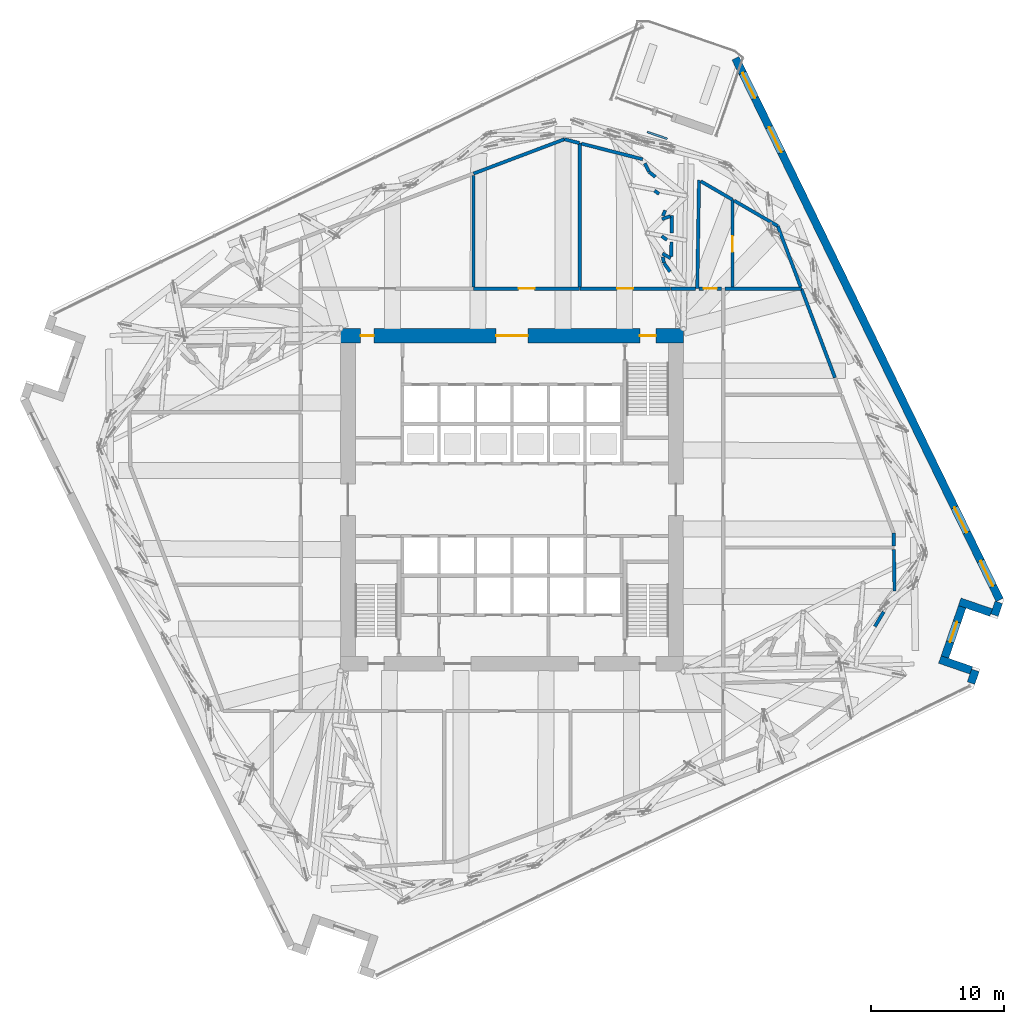
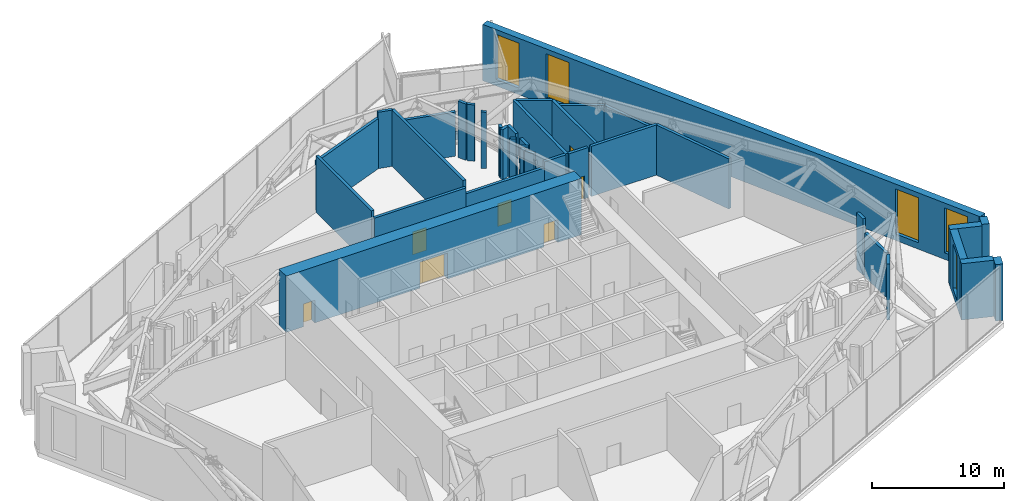
# One storey, part 14 of 21: 38 walls, 7 doors, 5 windows, 12 openings.
"""IFC4 building model written with IfcOpenShell, lengths in metres."""

from ifc_helpers import new_model, si_unit, direction, frame, frame_2d, origin, place, context, subcontext, project, spatial, rectangle, extrude, material, layer, layer_set, type_object, element, fill, save


model = new_model("IFC4")

# Units and contexts
model_context = context("Model", 3, precision=1e-05, world=origin(), true_north=direction((0.0, 1.0)))
body_context = subcontext(model_context, "Body", "Model", "MODEL_VIEW")
ifc_project = project(units=[si_unit("LENGTHUNIT", "METRE"), si_unit("AREAUNIT", "SQUARE_METRE"), si_unit("VOLUMEUNIT", "CUBIC_METRE"), si_unit("PLANEANGLEUNIT", "RADIAN"), si_unit("MASSUNIT", "GRAM", prefix="KILO")], contexts=[model_context])

# Site, building, storey
site_placement = place(None, origin())
site = spatial("IfcSite", under=ifc_project, at=site_placement, CompositionType="ELEMENT")
building_placement = place(site_placement, origin())
building = spatial("IfcBuilding", under=site, at=building_placement, Name="Dilmun Exchange Tower", CompositionType="ELEMENT")
storey_placement = place(building_placement, frame((0.0, 0.0, 130.10009765625)))
storey = spatial("IfcBuildingStorey", under=building, at=storey_placement, Name="L30", CompositionType="ELEMENT", Elevation=130.10009765625)

# Wall, openings, doors
ifc_material_1 = material(Name="Concrete C80/95", Category="concrete")
ifc_layer_1 = layer(ifc_material_1, 1.10009765625)
ifc_layer_set_1 = layer_set([ifc_layer_1], Name="Concrete C80/95")
wall_type_1 = type_object("IfcWallType", Name="Core shear wall 1100 Concrete C80/95", PredefinedType="SHEAR", material=ifc_layer_set_1)
wall_1_placement = place(storey_placement, frame((-12.89990234375, 12.35009765625, 0.0), z_axis=(0.0, 0.0, 1.0), x_axis=(1.0, 0.0, 0.0)))
wall_1 = element("IfcWall", 1, at=wall_1_placement, inside=storey, type_object=wall_type_1, Name="L30 core shear wall N", PredefinedType="SHEAR", context=body_context, shape_type="SweptSolid", body=[
    extrude(rectangle(XDim=25.7998046875, YDim=1.10009765625, at=frame_2d((12.89990234375, 0.0))), origin(), (0.0, 0.0, 1.0), 5.199951171875),
])
opening_1_placement = place(wall_1_placement, frame((11.699951171875, 0.0, 0.0)))
opening_1 = element("IfcOpeningElement", 2, at=opening_1_placement, cuts=wall_1, Name="Opening CD1", PredefinedType="OPENING", context=body_context, shape_type="SweptSolid", body=[
    extrude(rectangle(XDim=2.39990234375, YDim=2.39990234375, at=frame_2d((1.199951171875, 1.199951171875))), frame((0.0, 0.56005859375, 0.0), z_axis=(0.0, -1.0, 0.0), x_axis=(1.0, 0.0, 0.0)), (0.0, 0.0, 1.0), 1.1201171875),
])
opening_2_placement = place(wall_1_placement, frame((22.52490234375, 0.0, 0.0)))
opening_2 = element("IfcOpeningElement", 3, at=opening_2_placement, cuts=wall_1, Name="Opening CD3", PredefinedType="OPENING", context=body_context, shape_type="SweptSolid", body=[
    extrude(rectangle(XDim=1.199951171875, YDim=2.10009765625, at=frame_2d((0.60009765625, 1.050048828125))), frame((0.0, 0.56005859375, 0.0), z_axis=(0.0, -1.0, 0.0), x_axis=(1.0, 0.0, 0.0)), (0.0, 0.0, 1.0), 1.1201171875),
])
opening_3_placement = place(wall_1_placement, frame((1.5, 0.0, 0.0)))
opening_3 = element("IfcOpeningElement", 4, at=opening_3_placement, cuts=wall_1, Name="Opening CD4", PredefinedType="OPENING", context=body_context, shape_type="SweptSolid", body=[
    extrude(rectangle(XDim=1.0, YDim=2.10009765625, at=frame_2d((0.5, 1.050048828125))), frame((0.0, 0.56005859375, 0.0), z_axis=(0.0, -1.0, 0.0), x_axis=(1.0, 0.0, 0.0)), (0.0, 0.0, 1.0), 1.1201171875),
])
ifc_material_2 = material(Name="Fire-rated steel door set", Category="steel")
door_type_1 = type_object("IfcDoorType", Name="Core lobby door 2400x2400", OperationType="DOUBLE_DOOR_DOUBLE_SWING", PredefinedType="DOOR", material=ifc_material_2)
door_1_placement = place(opening_1_placement, origin())
door_1 = element("IfcDoor", 5, at=door_1_placement, inside=storey, type_object=door_type_1, Name="L30 door North lift lobby", OperationType="SINGLE_SWING_LEFT", OverallHeight=2.39990234375, OverallWidth=2.39990234375, PredefinedType="DOOR", context=body_context, shape_type="SweptSolid", body=[
    extrude(rectangle(XDim=2.39990234375, YDim=2.39990234375, at=frame_2d((1.199951171875, 1.199951171875))), frame((0.0, 0.02490234375, 0.0), z_axis=(0.0, -1.0, 0.0), x_axis=(1.0, 0.0, 0.0)), (0.0, 0.0, 1.0), 0.050048828125),
])
fill(opening_1, door_1)
door_type_2 = type_object("IfcDoorType", Name="Core room door 1000x2100", OperationType="SINGLE_SWING_LEFT", PredefinedType="DOOR", material=ifc_material_2)
door_2_placement = place(opening_3_placement, origin())
door_2 = element("IfcDoor", 6, at=door_2_placement, inside=storey, type_object=door_type_2, Name="L30 door North-west core rooms", OperationType="SINGLE_SWING_LEFT", OverallHeight=2.10009765625, OverallWidth=1.0, PredefinedType="DOOR", context=body_context, shape_type="SweptSolid", body=[
    extrude(rectangle(XDim=1.0, YDim=2.10009765625, at=frame_2d((0.5, 1.050048828125))), frame((0.0, 0.02490234375, 0.0), z_axis=(0.0, -1.0, 0.0), x_axis=(1.0, 0.0, 0.0)), (0.0, 0.0, 1.0), 0.050048828125),
])
fill(opening_3, door_2)
door_type_3 = type_object("IfcDoorType", Name="Stair exit door 1200x2100", OperationType="SINGLE_SWING_LEFT", PredefinedType="DOOR", material=ifc_material_2)
door_3_placement = place(opening_2_placement, origin())
door_3 = element("IfcDoor", 7, at=door_3_placement, inside=storey, type_object=door_type_3, Name="L30 door Stair ST1", OperationType="SINGLE_SWING_LEFT", OverallHeight=2.10009765625, OverallWidth=1.199951171875, PredefinedType="DOOR", context=body_context, shape_type="SweptSolid", body=[
    extrude(rectangle(XDim=1.199951171875, YDim=2.10009765625, at=frame_2d((0.60009765625, 1.050048828125))), frame((0.0, 0.02490234375, 0.0), z_axis=(0.0, -1.0, 0.0), x_axis=(1.0, 0.0, 0.0)), (0.0, 0.0, 1.0), 0.050048828125),
])
fill(opening_2, door_3)

# Walls
ifc_material_3 = material(Name="Concrete C32/40", Category="concrete")
ifc_layer_2 = layer(ifc_material_3, 0.25)
ifc_layer_set_2 = layer_set([ifc_layer_2], Name="Concrete C32/40")
wall_type_2 = type_object("IfcWallType", Name="Plant room wall 250", PredefinedType="PARTITIONING", material=ifc_layer_set_2)
wall_2_placement = place(storey_placement, frame((27.327880859375, -9.542724609375, 0.0), z_axis=(0.0, 0.0, 1.0), x_axis=(0.511956966552, 0.859011096784, 0.0)))
element("IfcWall", 8, at=wall_2_placement, inside=storey, type_object=wall_type_2, Name="L30 plant room wall 59", PredefinedType="PARTITIONING", context=body_context, shape_type="SweptSolid", body=[
    extrude(rectangle(XDim=1.2880859375, YDim=0.25, at=frame_2d((0.64404296875, 0.0))), origin(), (0.0, 0.0, 1.0), 5.199951171875),
])
wall_3_placement = place(storey_placement, frame((28.755126953125, -3.7294921875, 0.0), z_axis=(0.0, 0.0, 1.0), x_axis=(0.016052798377, -0.99987114553, 0.0)))
element("IfcWall", 9, at=wall_3_placement, inside=storey, type_object=wall_type_2, Name="L30 plant room wall 64", PredefinedType="PARTITIONING", context=body_context, shape_type="SweptSolid", body=[
    extrude(rectangle(XDim=3.133056640625, YDim=0.25, at=frame_2d((1.56640625, 0.0))), origin(), (0.0, 0.0, 1.0), 4.079833984375),
])
wall_4_placement = place(storey_placement, frame((28.7353515625, -2.49560546875, 0.0), z_axis=(0.0, 0.0, 1.0), x_axis=(0.016034019694, -0.999871446843, 0.0)))
element("IfcWall", 10, at=wall_4_placement, inside=storey, type_object=wall_type_2, Name="L30 plant room wall 65", PredefinedType="PARTITIONING", context=body_context, shape_type="SweptSolid", body=[
    extrude(rectangle(XDim=0.974609375, YDim=0.25, at=frame_2d((0.4873046875, 0.0))), origin(), (0.0, 0.0, 1.0), 5.199951171875),
])

# Wall, opening, door
wall_5_placement = place(storey_placement, frame((-2.89501953125, 15.89990234375, 0.0), z_axis=(0.0, 0.0, 1.0), x_axis=(1.0, 0.0, 0.0)))
wall_5 = element("IfcWall", 11, at=wall_5_placement, inside=storey, type_object=wall_type_2, Name="L30 plant room wall 98", PredefinedType="PARTITIONING", context=body_context, shape_type="SweptSolid", body=[
    extrude(rectangle(XDim=7.9951171875, YDim=0.25, at=frame_2d((3.99755859375, 0.0))), origin(), (0.0, 0.0, 1.0), 4.6298828125),
])
opening_4_placement = place(wall_5_placement, frame((3.39501953125, 0.0, 0.0)))
opening_4 = element("IfcOpeningElement", 12, at=opening_4_placement, cuts=wall_5, Name="Opening PD2", PredefinedType="OPENING", context=body_context, shape_type="SweptSolid", body=[
    extrude(rectangle(XDim=1.199951171875, YDim=2.10009765625, at=frame_2d((0.60009765625, 1.050048828125))), frame((0.0, 0.135009765625, 0.0), z_axis=(0.0, -1.0, 0.0), x_axis=(1.0, 0.0, 0.0)), (0.0, 0.0, 1.0), 0.27001953125),
])
door_type_4 = type_object("IfcDoorType", Name="Plant room door 1200x2100", OperationType="SINGLE_SWING_LEFT", PredefinedType="DOOR", material=ifc_material_2)
door_4_placement = place(opening_4_placement, origin())
door_4 = element("IfcDoor", 13, at=door_4_placement, inside=storey, type_object=door_type_4, Name="L30 door Plant control room", OperationType="SINGLE_SWING_LEFT", OverallHeight=2.10009765625, OverallWidth=1.199951171875, PredefinedType="DOOR", context=body_context, shape_type="SweptSolid", body=[
    extrude(rectangle(XDim=1.199951171875, YDim=2.10009765625, at=frame_2d((0.60009765625, 1.050048828125))), frame((0.0, 0.02490234375, 0.0), z_axis=(0.0, -1.0, 0.0), x_axis=(1.0, 0.0, 0.0)), (0.0, 0.0, 1.0), 0.050048828125),
])
fill(opening_4, door_4)

wall_6_placement = place(storey_placement, frame((5.10498046875, 15.89990234375, 0.0), z_axis=(0.0, 0.0, 1.0), x_axis=(1.0, 0.0, 0.0)))
wall_6 = element("IfcWall", 14, at=wall_6_placement, inside=storey, type_object=wall_type_2, Name="L30 plant room wall 99", PredefinedType="PARTITIONING", context=body_context, shape_type="SweptSolid", body=[
    extrude(rectangle(XDim=6.844482421875, YDim=0.25, at=frame_2d((3.42236328125, 0.0))), origin(), (0.0, 0.0, 1.0), 4.079833984375),
])
opening_5_placement = place(wall_6_placement, frame((2.819580078125, 0.0, 0.0)))
opening_5 = element("IfcOpeningElement", 15, at=opening_5_placement, cuts=wall_6, Name="Opening PD2", PredefinedType="OPENING", context=body_context, shape_type="SweptSolid", body=[
    extrude(rectangle(XDim=1.199951171875, YDim=2.10009765625, at=frame_2d((0.60009765625, 1.050048828125))), frame((0.0, 0.135009765625, 0.0), z_axis=(0.0, -1.0, 0.0), x_axis=(1.0, 0.0, 0.0)), (0.0, 0.0, 1.0), 0.27001953125),
])
door_5_placement = place(opening_5_placement, origin())
door_5 = element("IfcDoor", 16, at=door_5_placement, inside=storey, type_object=door_type_4, Name="L30 door AHU room", OperationType="SINGLE_SWING_RIGHT", OverallHeight=2.10009765625, OverallWidth=1.199951171875, PredefinedType="DOOR", context=body_context, shape_type="SweptSolid", body=[
    extrude(rectangle(XDim=1.199951171875, YDim=2.10009765625, at=frame_2d((0.60009765625, 1.050048828125))), frame((0.0, 0.02490234375, 0.0), z_axis=(0.0, -1.0, 0.0), x_axis=(1.0, 0.0, 0.0)), (0.0, 0.0, 1.0), 0.050048828125),
])
fill(opening_5, door_5)

# Wall
wall_7_placement = place(storey_placement, frame((13.94970703125, 15.89990234375, 0.0), z_axis=(0.0, 0.0, 1.0), x_axis=(0.016484399982, 0.999864123047, 0.0)))
element("IfcWall", 17, at=wall_7_placement, inside=storey, type_object=wall_type_2, Name="L30 plant room wall 100", PredefinedType="PARTITIONING", context=body_context, shape_type="SweptSolid", body=[
    extrude(rectangle(XDim=8.16064453125, YDim=0.25, at=frame_2d((4.080322265625, 0.0))), origin(), (0.0, 0.0, 1.0), 4.6298828125),
])

# Wall, opening, door
wall_8_placement = place(storey_placement, frame((14.07958984375, 15.89990234375, 0.0), z_axis=(0.0, 0.0, 1.0), x_axis=(1.0, 0.0, 0.0)))
wall_8 = element("IfcWall", 18, at=wall_8_placement, inside=storey, type_object=wall_type_2, Name="L30 plant room wall 101", PredefinedType="PARTITIONING", context=body_context, shape_type="SweptSolid", body=[
    extrude(rectangle(XDim=1.6904296875, YDim=0.25, at=frame_2d((0.84521484375, 0.0))), origin(), (0.0, 0.0, 1.0), 4.6298828125),
])
opening_6_placement = place(wall_8_placement, frame((0.34521484375, 0.0, 0.0)))
opening_6 = element("IfcOpeningElement", 19, at=opening_6_placement, cuts=wall_8, Name="Opening PD1", PredefinedType="OPENING", context=body_context, shape_type="SweptSolid", body=[
    extrude(rectangle(XDim=1.0, YDim=2.10009765625, at=frame_2d((0.5, 1.050048828125))), frame((0.0, 0.135009765625, 0.0), z_axis=(0.0, -1.0, 0.0), x_axis=(1.0, 0.0, 0.0)), (0.0, 0.0, 1.0), 0.27001953125),
])
door_type_5 = type_object("IfcDoorType", Name="Plant room door 1000x2100", OperationType="SINGLE_SWING_LEFT", PredefinedType="DOOR", material=ifc_material_2)
door_6_placement = place(opening_6_placement, origin())
door_6 = element("IfcDoor", 20, at=door_6_placement, inside=storey, type_object=door_type_5, Name="L30 door Plant BMS control room", OperationType="SINGLE_SWING_LEFT", OverallHeight=2.10009765625, OverallWidth=1.0, PredefinedType="DOOR", context=body_context, shape_type="SweptSolid", body=[
    extrude(rectangle(XDim=1.0, YDim=2.10009765625, at=frame_2d((0.5, 1.050048828125))), frame((0.0, 0.02490234375, 0.0), z_axis=(0.0, -1.0, 0.0), x_axis=(1.0, 0.0, 0.0)), (0.0, 0.0, 1.0), 0.050048828125),
])
fill(opening_6, door_6)

# Walls
wall_9_placement = place(storey_placement, frame((11.954345703125, 15.89990234375, 0.0), z_axis=(0.0, 0.0, 1.0), x_axis=(1.0, 0.0, 0.0)))
element("IfcWall", 21, at=wall_9_placement, inside=storey, type_object=wall_type_2, Name="L30 plant room wall 102", PredefinedType="PARTITIONING", context=body_context, shape_type="SweptSolid", body=[
    extrude(rectangle(XDim=1.86572265625, YDim=0.25, at=frame_2d((0.932861328125, 0.0))), origin(), (0.0, 0.0, 1.0), 4.6298828125),
])
wall_10_placement = place(storey_placement, frame((16.030029296875, 15.89990234375, 0.0), z_axis=(0.0, 0.0, 1.0), x_axis=(1.0, 0.0, 0.0)))
element("IfcWall", 22, at=wall_10_placement, inside=storey, type_object=wall_type_2, Name="L30 plant room wall 103", PredefinedType="PARTITIONING", context=body_context, shape_type="SweptSolid", body=[
    extrude(rectangle(XDim=5.75732421875, YDim=0.25, at=frame_2d((2.878662109375, 0.0))), origin(), (0.0, 0.0, 1.0), 4.6298828125),
])
wall_11_placement = place(storey_placement, frame((21.79248046875, 15.88671875, 0.0), z_axis=(0.0, 0.0, 1.0), x_axis=(0.353316978095, -0.935503668079, 0.0)))
element("IfcWall", 23, at=wall_11_placement, inside=storey, type_object=wall_type_2, Name="L30 plant room wall 104", PredefinedType="PARTITIONING", context=body_context, shape_type="SweptSolid", body=[
    extrude(rectangle(XDim=7.15673828125, YDim=0.25, at=frame_2d((3.578369140625, 0.0))), origin(), (0.0, 0.0, 1.0), 4.6298828125),
])
wall_12_placement = place(storey_placement, frame((11.447998046875, 17.81689453125, 0.0), z_axis=(0.0, 0.0, 1.0), x_axis=(0.575769861606, -0.817611806707, 0.0)))
element("IfcWall", 24, at=wall_12_placement, inside=storey, type_object=wall_type_2, Name="L30 plant room wall 107", PredefinedType="PARTITIONING", context=body_context, shape_type="SweptSolid", body=[
    extrude(rectangle(XDim=0.787353515625, YDim=0.25, at=frame_2d((0.3935546875, 0.0))), origin(), (0.0, 0.0, 1.0), 4.6298828125),
])
wall_13_placement = place(storey_placement, frame((11.3271484375, 18.538330078125, 0.0), z_axis=(0.0, 0.0, 1.0), x_axis=(0.867222766703, -0.49792034796, 0.0)))
element("IfcWall", 25, at=wall_13_placement, inside=storey, type_object=wall_type_2, Name="L30 plant room wall 109", PredefinedType="PARTITIONING", context=body_context, shape_type="SweptSolid", body=[
    extrude(rectangle(XDim=0.7080078125, YDim=0.25, at=frame_2d((0.35400390625, 0.0))), origin(), (0.0, 0.0, 1.0), 4.6298828125),
])
wall_14_placement = place(storey_placement, frame((11.356689453125, 18.2919921875, 0.0), z_axis=(0.0, 0.0, 1.0), x_axis=(0.175957739837, -0.984397721346, 0.0)))
element("IfcWall", 26, at=wall_14_placement, inside=storey, type_object=wall_type_2, Name="L30 plant room wall 110", PredefinedType="PARTITIONING", context=body_context, shape_type="SweptSolid", body=[
    extrude(rectangle(XDim=0.455078125, YDim=0.25, at=frame_2d((0.2275390625, 0.0))), origin(), (0.0, 0.0, 1.0), 4.6298828125),
])
wall_15_placement = place(storey_placement, frame((11.989013671875, 18.308349609375, 0.0), z_axis=(0.0, 0.0, 1.0), x_axis=(0.016539422382, 0.999863214398, 0.0)))
element("IfcWall", 27, at=wall_15_placement, inside=storey, type_object=wall_type_2, Name="L30 plant room wall 112", PredefinedType="PARTITIONING", context=body_context, shape_type="SweptSolid", body=[
    extrude(rectangle(XDim=1.107177734375, YDim=0.25, at=frame_2d((0.5537109375, 0.0))), origin(), (0.0, 0.0, 1.0), 4.6298828125),
])
wall_16_placement = place(storey_placement, frame((11.27099609375, 19.853271484375, 0.0), z_axis=(0.0, 0.0, 1.0), x_axis=(0.810758993414, -0.585380094125, 0.0)))
element("IfcWall", 28, at=wall_16_placement, inside=storey, type_object=wall_type_2, Name="L30 plant room wall 114", PredefinedType="PARTITIONING", context=body_context, shape_type="SweptSolid", body=[
    extrude(rectangle(XDim=0.484130859375, YDim=0.25, at=frame_2d((0.2421875, 0.0))), origin(), (0.0, 0.0, 1.0), 4.6298828125),
])
wall_17_placement = place(storey_placement, frame((20.006103515625, 20.6162109375, 0.0), z_axis=(0.0, 0.0, 1.0), x_axis=(0.353332775747, -0.935497701538, 0.0)))
element("IfcWall", 29, at=wall_17_placement, inside=storey, type_object=wall_type_2, Name="L30 plant room wall 116", PredefinedType="PARTITIONING", context=body_context, shape_type="SweptSolid", body=[
    extrude(rectangle(XDim=4.90234375, YDim=0.25, at=frame_2d((2.451171875, 0.0))), origin(), (0.0, 0.0, 1.0), 4.171875),
])
wall_18_placement = place(storey_placement, frame((11.29345703125, 21.129638671875, 0.0), z_axis=(0.0, 0.0, 1.0), x_axis=(0.941428763691, 0.337211925789, 0.0)))
element("IfcWall", 30, at=wall_18_placement, inside=storey, type_object=wall_type_2, Name="L30 plant room wall 117", PredefinedType="PARTITIONING", context=body_context, shape_type="SweptSolid", body=[
    extrude(rectangle(XDim=0.671142578125, YDim=0.25, at=frame_2d((0.33544921875, 0.0))), origin(), (0.0, 0.0, 1.0), 4.6298828125),
])
wall_19_placement = place(storey_placement, frame((12.018798828125, 20.099853515625, 0.0), z_axis=(0.0, 0.0, 1.0), x_axis=(0.016369654256, 0.999866008233, 0.0)))
element("IfcWall", 31, at=wall_19_placement, inside=storey, type_object=wall_type_2, Name="L30 plant room wall 118", PredefinedType="PARTITIONING", context=body_context, shape_type="SweptSolid", body=[
    extrude(rectangle(XDim=1.297607421875, YDim=0.25, at=frame_2d((0.64892578125, 0.0))), origin(), (0.0, 0.0, 1.0), 4.6298828125),
])
wall_20_placement = place(storey_placement, frame((11.37060546875, 21.36865234375, 0.0), z_axis=(0.0, 0.0, 1.0), x_axis=(0.346947564086, 0.937884527954, 0.0)))
element("IfcWall", 32, at=wall_20_placement, inside=storey, type_object=wall_type_2, Name="L30 plant room wall 119", PredefinedType="PARTITIONING", context=body_context, shape_type="SweptSolid", body=[
    extrude(rectangle(XDim=0.455322265625, YDim=0.25, at=frame_2d((0.2275390625, 0.0))), origin(), (0.0, 0.0, 1.0), 4.6298828125),
])

# Wall, opening, door
wall_21_placement = place(storey_placement, frame((16.60009765625, 16.030029296875, 0.0), z_axis=(0.0, 0.0, 1.0), x_axis=(0.0, 1.0, 0.0)))
wall_21 = element("IfcWall", 33, at=wall_21_placement, inside=storey, type_object=wall_type_2, Name="L30 plant room wall 120", PredefinedType="PARTITIONING", context=body_context, shape_type="SweptSolid", body=[
    extrude(rectangle(XDim=6.566650390625, YDim=0.25, at=frame_2d((3.283203125, 0.0))), origin(), (0.0, 0.0, 1.0), 4.6298828125),
])
opening_7_placement = place(wall_21_placement, frame((2.62890625, 0.0, 0.0)))
opening_7 = element("IfcOpeningElement", 34, at=opening_7_placement, cuts=wall_21, Name="Opening PD2", PredefinedType="OPENING", context=body_context, shape_type="SweptSolid", body=[
    extrude(rectangle(XDim=1.199951171875, YDim=2.10009765625, at=frame_2d((0.60009765625, 1.050048828125))), frame((0.0, 0.135009765625, 0.0), z_axis=(0.0, -1.0, 0.0), x_axis=(1.0, 0.0, 0.0)), (0.0, 0.0, 1.0), 0.27001953125),
])
door_7_placement = place(opening_7_placement, origin())
door_7 = element("IfcDoor", 35, at=door_7_placement, inside=storey, type_object=door_type_4, Name="L30 door Comms plant room", OperationType="SINGLE_SWING_RIGHT", OverallHeight=2.10009765625, OverallWidth=1.199951171875, PredefinedType="DOOR", context=body_context, shape_type="SweptSolid", body=[
    extrude(rectangle(XDim=1.199951171875, YDim=2.10009765625, at=frame_2d((0.60009765625, 1.050048828125))), frame((0.0, 0.02490234375, 0.0), z_axis=(0.0, -1.0, 0.0), x_axis=(1.0, 0.0, 0.0)), (0.0, 0.0, 1.0), 0.050048828125),
])
fill(opening_7, door_7)

# Walls
wall_22_placement = place(storey_placement, frame((16.72998046875, 22.52099609375, 0.0), z_axis=(0.0, 0.0, 1.0), x_axis=(0.864489579018, -0.502650741339, 0.0)))
element("IfcWall", 36, at=wall_22_placement, inside=storey, type_object=wall_type_2, Name="L30 plant room wall 121", PredefinedType="PARTITIONING", context=body_context, shape_type="SweptSolid", body=[
    extrude(rectangle(XDim=3.783203125, YDim=0.25, at=frame_2d((1.8916015625, 0.0))), origin(), (0.0, 0.0, 1.0), 4.171875),
])
wall_23_placement = place(storey_placement, frame((10.732666015625, 23.27734375, 0.0), z_axis=(0.0, 0.0, 1.0), x_axis=(0.810848278234, -0.585256413621, 0.0)))
element("IfcWall", 37, at=wall_23_placement, inside=storey, type_object=wall_type_2, Name="L30 plant room wall 122", PredefinedType="PARTITIONING", context=body_context, shape_type="SweptSolid", body=[
    extrude(rectangle(XDim=0.418701171875, YDim=0.25, at=frame_2d((0.20947265625, 0.0))), origin(), (0.0, 0.0, 1.0), 5.199951171875),
])
wall_24_placement = place(storey_placement, frame((14.213134765625, 23.984619140625, 0.0), z_axis=(0.0, 0.0, 1.0), x_axis=(0.864482972214, -0.502662103954, 0.0)))
element("IfcWall", 38, at=wall_24_placement, inside=storey, type_object=wall_type_2, Name="L30 plant room wall 123", PredefinedType="PARTITIONING", context=body_context, shape_type="SweptSolid", body=[
    extrude(rectangle(XDim=2.7509765625, YDim=0.25, at=frame_2d((1.37548828125, 0.0))), origin(), (0.0, 0.0, 1.0), 4.6298828125),
])
wall_25_placement = place(storey_placement, frame((-2.89990234375, 16.030029296875, 0.0), z_axis=(0.0, 0.0, 1.0), x_axis=(0.0, 1.0, 0.0)))
element("IfcWall", 39, at=wall_25_placement, inside=storey, type_object=wall_type_2, Name="L30 plant room wall 124", PredefinedType="PARTITIONING", context=body_context, shape_type="SweptSolid", body=[
    extrude(rectangle(XDim=8.390625, YDim=0.25, at=frame_2d((4.1953125, 0.0))), origin(), (0.0, 0.0, 1.0), 5.199951171875),
])
wall_26_placement = place(storey_placement, frame((-2.895263671875, 24.561279296875, 0.0), z_axis=(0.0, 0.0, 1.0), x_axis=(0.935473811729, 0.353396020873, 0.0)))
element("IfcWall", 40, at=wall_26_placement, inside=storey, type_object=wall_type_2, Name="L30 plant room wall 125", PredefinedType="PARTITIONING", context=body_context, shape_type="SweptSolid", body=[
    extrude(rectangle(XDim=7.3076171875, YDim=0.25, at=frame_2d((3.65380859375, 0.0))), origin(), (0.0, 0.0, 1.0), 4.6298828125),
])
wall_27_placement = place(storey_placement, frame((10.328125, 24.68115234375, 0.0), z_axis=(0.0, 0.0, 1.0), x_axis=(0.781589922585, -0.623792588056, 0.0)))
element("IfcWall", 41, at=wall_27_placement, inside=storey, type_object=wall_type_2, Name="L30 plant room wall 126", PredefinedType="PARTITIONING", context=body_context, shape_type="SweptSolid", body=[
    extrude(rectangle(XDim=0.59423828125, YDim=0.25, at=frame_2d((0.297119140625, 0.0))), origin(), (0.0, 0.0, 1.0), 5.199951171875),
])
wall_28_placement = place(storey_placement, frame((9.997802734375, 25.33203125, 0.0), z_axis=(0.0, 0.0, 1.0), x_axis=(0.44484509169, -0.895607528105, 0.0)))
element("IfcWall", 42, at=wall_28_placement, inside=storey, type_object=wall_type_2, Name="L30 plant room wall 127", PredefinedType="PARTITIONING", context=body_context, shape_type="SweptSolid", body=[
    extrude(rectangle(XDim=0.701416015625, YDim=0.25, at=frame_2d((0.3505859375, 0.0))), origin(), (0.0, 0.0, 1.0), 5.199951171875),
])
wall_29_placement = place(storey_placement, frame((5.10009765625, 16.030029296875, 0.0), z_axis=(0.0, 0.0, 1.0), x_axis=(0.0, 1.0, 0.0)))
element("IfcWall", 43, at=wall_29_placement, inside=storey, type_object=wall_type_2, Name="L30 plant room wall 128", PredefinedType="PARTITIONING", context=body_context, shape_type="SweptSolid", body=[
    extrude(rectangle(XDim=10.818603515625, YDim=0.25, at=frame_2d((5.4091796875, 0.0))), origin(), (0.0, 0.0, 1.0), 5.199951171875),
])
wall_30_placement = place(storey_placement, frame((5.22998046875, 26.8154296875, 0.0), z_axis=(0.0, 0.0, 1.0), x_axis=(0.969086921924, -0.246719552844, 0.0)))
element("IfcWall", 44, at=wall_30_placement, inside=storey, type_object=wall_type_2, Name="L30 plant room wall 129", PredefinedType="PARTITIONING", context=body_context, shape_type="SweptSolid", body=[
    extrude(rectangle(XDim=4.76171875, YDim=0.25, at=frame_2d((2.380859375, 0.0))), origin(), (0.0, 0.0, 1.0), 4.079833984375),
])
wall_31_placement = place(storey_placement, frame((3.94677734375, 27.142333984375, 0.0), z_axis=(0.0, 0.0, 1.0), x_axis=(0.969039997303, -0.246903794273, 0.0)))
element("IfcWall", 45, at=wall_31_placement, inside=storey, type_object=wall_type_2, Name="L30 plant room wall 130", PredefinedType="PARTITIONING", context=body_context, shape_type="SweptSolid", body=[
    extrude(rectangle(XDim=1.169677734375, YDim=0.25, at=frame_2d((0.5849609375, 0.0))), origin(), (0.0, 0.0, 1.0), 5.199951171875),
])
ifc_material_4 = material(Name="Precast concrete C50/60", Category="concrete")
ifc_layer_3 = layer(ifc_material_4, 0.60009765625)
ifc_layer_set_3 = layer_set([ifc_layer_3], Name="Precast concrete C50/60")
wall_type_3 = type_object("IfcWallType", Name="Precast stone-clad wall 600", PredefinedType="STANDARD", material=ifc_layer_set_3)
wall_32_placement = place(storey_placement, frame((34.566162109375, -13.802734375, 0.0), z_axis=(0.0, 0.0, 1.0), x_axis=(0.325626147133, 0.94549860513, 0.0)))
element("IfcWall", 46, at=wall_32_placement, inside=storey, type_object=wall_type_3, Name="Facade wall L30-16", PredefinedType="STANDARD", context=body_context, shape_type="SweptSolid", body=[
    extrude(rectangle(XDim=1.011474609375, YDim=0.60009765625, at=frame_2d((0.505859375, 0.0))), origin(), (0.0, 0.0, 1.0), 5.199951171875),
])
wall_33_placement = place(storey_placement, frame((34.5791015625, -12.843505859375, 0.0), z_axis=(0.0, 0.0, 1.0), x_axis=(-0.945511960377, 0.325587365823, 0.0)))
element("IfcWall", 47, at=wall_33_placement, inside=storey, type_object=wall_type_3, Name="Facade wall L30-17", PredefinedType="STANDARD", context=body_context, shape_type="SweptSolid", body=[
    extrude(rectangle(XDim=2.5, YDim=0.60009765625, at=frame_2d((1.25, 0.0))), origin(), (0.0, 0.0, 1.0), 5.199951171875),
])

# Wall, opening, window
wall_34_placement = place(storey_placement, frame((32.5966796875, -11.843505859375, 0.0), z_axis=(0.0, 0.0, 1.0), x_axis=(0.325550509245, 0.945524651149, 0.0)))
wall_34 = element("IfcWall", 48, at=wall_34_placement, inside=storey, type_object=wall_type_3, Name="Facade wall L30-18", PredefinedType="STANDARD", context=body_context, shape_type="SweptSolid", body=[
    extrude(rectangle(XDim=4.000244140625, YDim=0.60009765625, at=frame_2d((2.0, 0.0))), origin(), (0.0, 0.0, 1.0), 5.199951171875),
])
opening_8_placement = place(wall_34_placement, frame((1.199951171875, 0.0, 0.60009765625)))
opening_8 = element("IfcOpeningElement", 49, at=opening_8_placement, cuts=wall_34, Name="Opening LV160-415", PredefinedType="OPENING", context=body_context, shape_type="SweptSolid", body=[
    extrude(rectangle(XDim=1.60009765625, YDim=4.14990234375, at=frame_2d((0.800048828125, 2.074951171875))), frame((0.0, 0.31005859375, 0.0), z_axis=(0.0, -1.0, 0.0), x_axis=(1.0, 0.0, 0.0)), (0.0, 0.0, 1.0), 0.6201171875),
])
ifc_material_5 = material(Name="Anodised aluminium louvre blades with sand trap", Category="aluminium")
window_type_1 = type_object("IfcWindowType", Name="Plant louvre 1600 x 4150", PartitioningType="SINGLE_PANEL", PredefinedType="USERDEFINED", material=ifc_material_5)
window_1_placement = place(opening_8_placement, origin())
window_1 = element("IfcWindow", 50, at=window_1_placement, inside=storey, type_object=window_type_1, Name="Plant louvre 19.1", ObjectType="LOUVRE", OverallHeight=4.14990234375, OverallWidth=1.60009765625, PartitioningType="SINGLE_PANEL", PredefinedType="USERDEFINED", context=body_context, shape_type="SweptSolid", body=[
    extrude(rectangle(XDim=1.60009765625, YDim=4.14990234375, at=frame_2d((0.800048828125, 2.074951171875))), frame((0.0, 0.030029296875, 0.0), z_axis=(0.0, -1.0, 0.0), x_axis=(1.0, 0.0, 0.0)), (0.0, 0.0, 1.0), 0.06005859375),
])
fill(opening_8, window_1)

# Walls
wall_35_placement = place(storey_placement, frame((33.712890625, -7.68017578125, 0.0), z_axis=(0.0, 0.0, 1.0), x_axis=(0.945552366242, -0.325470002756, 0.0)))
element("IfcWall", 51, at=wall_35_placement, inside=storey, type_object=wall_type_3, Name="Facade wall L30-19", PredefinedType="STANDARD", context=body_context, shape_type="SweptSolid", body=[
    extrude(rectangle(XDim=2.500244140625, YDim=0.60009765625, at=frame_2d((1.25, 0.0))), origin(), (0.0, 0.0, 1.0), 5.199951171875),
])
wall_36_placement = place(storey_placement, frame((36.327880859375, -8.686279296875, 0.0), z_axis=(0.0, 0.0, 1.0), x_axis=(0.325410332792, 0.945572903224, 0.0)))
element("IfcWall", 52, at=wall_36_placement, inside=storey, type_object=wall_type_3, Name="Facade wall L30-20", PredefinedType="STANDARD", context=body_context, shape_type="SweptSolid", body=[
    extrude(rectangle(XDim=1.01123046875, YDim=0.60009765625, at=frame_2d((0.505615234375, 0.0))), origin(), (0.0, 0.0, 1.0), 5.199951171875),
])

# Wall, openings, windows
wall_37_placement = place(storey_placement, frame((36.72216796875, -7.541015625, 0.0), z_axis=(0.0, 0.0, 1.0), x_axis=(-0.438370098475, 0.898794557596, 0.0)))
wall_37 = element("IfcWall", 53, at=wall_37_placement, inside=storey, type_object=wall_type_3, Name="Facade wall L30-21", PredefinedType="STANDARD", context=body_context, shape_type="SweptSolid", body=[
    extrude(rectangle(XDim=45.375732421875, YDim=0.60009765625, at=frame_2d((22.68798828125, 0.0))), origin(), (0.0, 0.0, 1.0), 5.199951171875),
])
opening_9_placement = place(wall_37_placement, frame((1.162841796875, 0.0, 0.60009765625)))
opening_9 = element("IfcOpeningElement", 54, at=opening_9_placement, cuts=wall_37, Name="Opening LV210-415", PredefinedType="OPENING", context=body_context, shape_type="SweptSolid", body=[
    extrude(rectangle(XDim=2.10009765625, YDim=4.14990234375, at=frame_2d((1.050048828125, 2.074951171875))), frame((0.0, 0.31005859375, 0.0), z_axis=(0.0, -1.0, 0.0), x_axis=(1.0, 0.0, 0.0)), (0.0, 0.0, 1.0), 0.6201171875),
])
opening_10_placement = place(wall_37_placement, frame((5.650634765625, 0.0, 0.60009765625)))
opening_10 = element("IfcOpeningElement", 55, at=opening_10_placement, cuts=wall_37, Name="Opening LV210-415", PredefinedType="OPENING", context=body_context, shape_type="SweptSolid", body=[
    extrude(rectangle(XDim=2.10009765625, YDim=4.14990234375, at=frame_2d((1.050048828125, 2.074951171875))), frame((0.0, 0.31005859375, 0.0), z_axis=(0.0, -1.0, 0.0), x_axis=(1.0, 0.0, 0.0)), (0.0, 0.0, 1.0), 0.6201171875),
])
opening_11_placement = place(wall_37_placement, frame((37.500732421875, 0.0, 0.60009765625)))
opening_11 = element("IfcOpeningElement", 56, at=opening_11_placement, cuts=wall_37, Name="Opening LV210-415", PredefinedType="OPENING", context=body_context, shape_type="SweptSolid", body=[
    extrude(rectangle(XDim=2.10009765625, YDim=4.14990234375, at=frame_2d((1.050048828125, 2.074951171875))), frame((0.0, 0.31005859375, 0.0), z_axis=(0.0, -1.0, 0.0), x_axis=(1.0, 0.0, 0.0)), (0.0, 0.0, 1.0), 0.6201171875),
])
opening_12_placement = place(wall_37_placement, frame((42.05078125, 0.0, 0.60009765625)))
opening_12 = element("IfcOpeningElement", 57, at=opening_12_placement, cuts=wall_37, Name="Opening LV210-415", PredefinedType="OPENING", context=body_context, shape_type="SweptSolid", body=[
    extrude(rectangle(XDim=2.10009765625, YDim=4.14990234375, at=frame_2d((1.050048828125, 2.074951171875))), frame((0.0, 0.31005859375, 0.0), z_axis=(0.0, -1.0, 0.0), x_axis=(1.0, 0.0, 0.0)), (0.0, 0.0, 1.0), 0.6201171875),
])
window_type_2 = type_object("IfcWindowType", Name="Plant louvre 2100 x 4150", PartitioningType="SINGLE_PANEL", PredefinedType="USERDEFINED", material=ifc_material_5)
window_2_placement = place(opening_9_placement, origin())
window_2 = element("IfcWindow", 58, at=window_2_placement, inside=storey, type_object=window_type_2, Name="Plant louvre 22.1", ObjectType="LOUVRE", OverallHeight=4.14990234375, OverallWidth=2.10009765625, PartitioningType="SINGLE_PANEL", PredefinedType="USERDEFINED", context=body_context, shape_type="SweptSolid", body=[
    extrude(rectangle(XDim=2.10009765625, YDim=4.14990234375, at=frame_2d((1.050048828125, 2.074951171875))), frame((0.0, 0.030029296875, 0.0), z_axis=(0.0, -1.0, 0.0), x_axis=(1.0, 0.0, 0.0)), (0.0, 0.0, 1.0), 0.06005859375),
])
fill(opening_9, window_2)
window_3_placement = place(opening_10_placement, origin())
window_3 = element("IfcWindow", 59, at=window_3_placement, inside=storey, type_object=window_type_2, Name="Plant louvre 22.2", ObjectType="LOUVRE", OverallHeight=4.14990234375, OverallWidth=2.10009765625, PartitioningType="SINGLE_PANEL", PredefinedType="USERDEFINED", context=body_context, shape_type="SweptSolid", body=[
    extrude(rectangle(XDim=2.10009765625, YDim=4.14990234375, at=frame_2d((1.050048828125, 2.074951171875))), frame((0.0, 0.030029296875, 0.0), z_axis=(0.0, -1.0, 0.0), x_axis=(1.0, 0.0, 0.0)), (0.0, 0.0, 1.0), 0.06005859375),
])
fill(opening_10, window_3)
window_4_placement = place(opening_11_placement, origin())
window_4 = element("IfcWindow", 60, at=window_4_placement, inside=storey, type_object=window_type_2, Name="Plant louvre 22.9", ObjectType="LOUVRE", OverallHeight=4.14990234375, OverallWidth=2.10009765625, PartitioningType="SINGLE_PANEL", PredefinedType="USERDEFINED", context=body_context, shape_type="SweptSolid", body=[
    extrude(rectangle(XDim=2.10009765625, YDim=4.14990234375, at=frame_2d((1.050048828125, 2.074951171875))), frame((0.0, 0.030029296875, 0.0), z_axis=(0.0, -1.0, 0.0), x_axis=(1.0, 0.0, 0.0)), (0.0, 0.0, 1.0), 0.06005859375),
])
fill(opening_11, window_4)
window_5_placement = place(opening_12_placement, origin())
window_5 = element("IfcWindow", 61, at=window_5_placement, inside=storey, type_object=window_type_2, Name="Plant louvre 22.10", ObjectType="LOUVRE", OverallHeight=4.14990234375, OverallWidth=2.10009765625, PartitioningType="SINGLE_PANEL", PredefinedType="USERDEFINED", context=body_context, shape_type="SweptSolid", body=[
    extrude(rectangle(XDim=2.10009765625, YDim=4.14990234375, at=frame_2d((1.050048828125, 2.074951171875))), frame((0.0, 0.030029296875, 0.0), z_axis=(0.0, -1.0, 0.0), x_axis=(1.0, 0.0, 0.0)), (0.0, 0.0, 1.0), 0.06005859375),
])
fill(opening_12, window_5)

# Wall
ifc_layer_4 = layer(ifc_material_3, 0.14990234375)
ifc_layer_set_4 = layer_set([ifc_layer_4], Name="Concrete C32/40")
wall_type_4 = type_object("IfcWallType", Name="Truss kerb wall 150", PredefinedType="PARTITIONING", material=ifc_layer_set_4)
wall_38_placement = place(storey_placement, frame((11.698486328125, 27.173583984375, 0.0), z_axis=(0.0, 0.0, 1.0), x_axis=(-0.945556061461, 0.325459267242, 0.0)))
element("IfcWall", 62, at=wall_38_placement, inside=storey, type_object=wall_type_4, Name="L30 truss kerb wall", PredefinedType="PARTITIONING", context=body_context, shape_type="SweptSolid", body=[
    extrude(rectangle(XDim=1.60009765625, YDim=0.14990234375, at=frame_2d((0.800048828125, 0.0))), origin(), (0.0, 0.0, 1.0), 0.699951171875),
])

save(model, "model.ifc")
